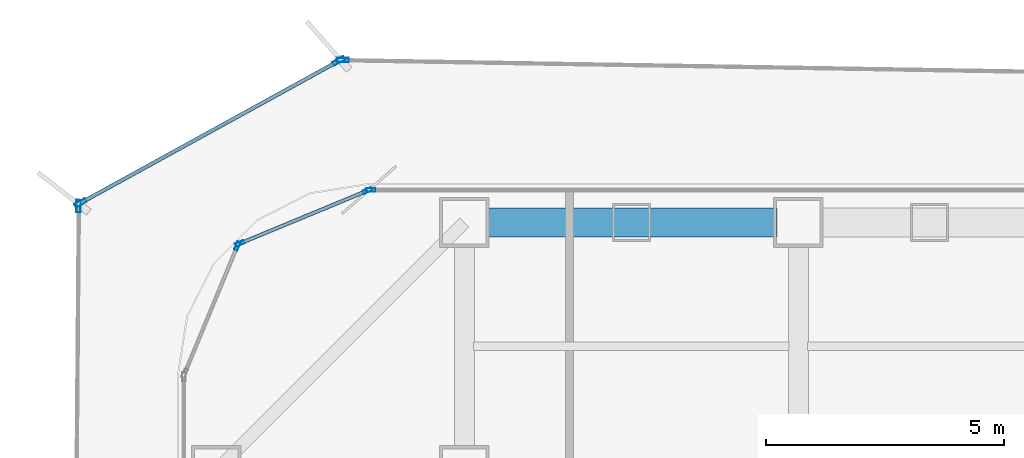
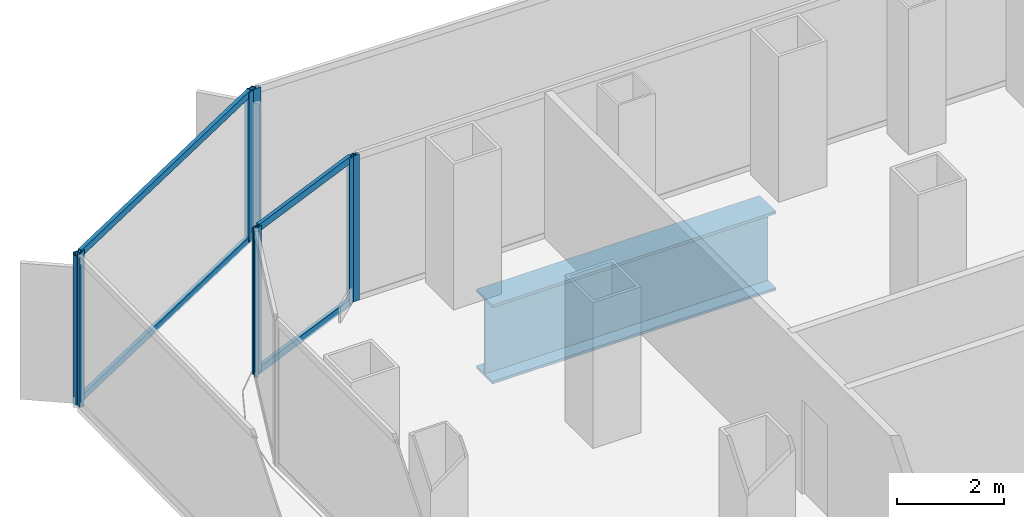
# One storey, part 14 of 27: 12 members, 1 beam, 6 elements without a shape of their own.
"""IFC4 building model written with IfcOpenShell, lengths in metres."""

import ifcopenshell
import ifcopenshell.guid

model = None  # the IFC model being written
_history = None  # IfcOwnerHistory: only IFC2X3 demands one
_inside = {}  # id of a spatial element -> (the spatial element, [elements in it])
_under = {}  # id of a project, library or spatial element -> (it, [spatial elements below it])
_declared = {}  # id of a project -> (the project, [libraries it declares])
_typed = {}  # id of a type object -> (the type object, [elements of that type])
_made_of = {}  # id of a material, layer set ... -> (it, [elements and type objects made of it])


def new_model(schema):
    """Start an empty IFC model of exactly this schema.

    Asked for "IFC4X3", IfcOpenShell would pick the latest addendum, in which some entities
    have other attributes; the version numbers below select the first issue.
    IFC2X3 requires an IfcOwnerHistory on every rooted entity: one is made here for all.
    """
    global model, _history
    if schema == "IFC4X3":
        model = ifcopenshell.file(schema_version=(4, 3, 0, 0))
    else:
        model = ifcopenshell.file(schema=schema)
    _inside.clear()
    _under.clear()
    _declared.clear()
    _typed.clear()
    _made_of.clear()
    _history = None
    if model.schema == "IFC2X3":
        org = make("IfcOrganization", Name="unknown")
        user = make(
            "IfcPersonAndOrganization",
            ThePerson=make("IfcPerson", FamilyName="unknown"),
            TheOrganization=org,
        )
        app = make(
            "IfcApplication",
            ApplicationDeveloper=org,
            Version="unknown",
            ApplicationFullName="unknown",
            ApplicationIdentifier="unknown",
        )
        _history = make(
            "IfcOwnerHistory",
            OwningUser=user,
            OwningApplication=app,
            ChangeAction="ADDED",
            CreationDate=0,
        )
    return model


def make(cls, **values):
    """One entity of the class cls with the attributes given. An attribute that is None is left unset."""
    return model.create_entity(
        cls, **{name: value for name, value in values.items() if value is not None}
    )


def rooted(cls, **values):
    """An entity with a GlobalId (a new one), such as an element, a storey or a relation."""
    return make(cls, GlobalId=ifcopenshell.guid.new(), OwnerHistory=_history, **values)


def si_unit(unit_type, name, prefix=None):
    """IfcSIUnit, for example si_unit("LENGTHUNIT", "METRE", prefix="MILLI")."""
    return make("IfcSIUnit", UnitType=unit_type, Prefix=prefix, Name=name)


def assignment(units):
    """IfcUnitAssignment: the units of a project."""
    return None if units is None else make("IfcUnitAssignment", Units=units)


def point(xyz):
    """IfcCartesianPoint."""
    return None if xyz is None else make("IfcCartesianPoint", Coordinates=xyz)


def direction(xyz):
    """IfcDirection."""
    return None if xyz is None else make("IfcDirection", DirectionRatios=xyz)


def frame(location, z_axis=None, x_axis=None):
    """IfcAxis2Placement3D, a coordinate frame: its origin and axes. An axis left out is left unset."""
    return make(
        "IfcAxis2Placement3D",
        Location=point(location),
        Axis=direction(z_axis),
        RefDirection=direction(x_axis),
    )


def frame_2d(location, x_axis=None):
    """IfcAxis2Placement2D, a coordinate frame in the plane: its origin and x axis."""
    return make(
        "IfcAxis2Placement2D", Location=point(location), RefDirection=direction(x_axis)
    )


def origin():
    """The frame at (0, 0, 0) with its axes left unset."""
    return frame((0.0, 0.0, 0.0))


def origin_2d():
    """The frame at (0, 0) in the plane with its x axis left unset."""
    return frame_2d((0.0, 0.0))


def place(relative_to, where):
    """IfcLocalPlacement: puts the frame where relative to a parent placement (None: the world)."""
    return make(
        "IfcLocalPlacement", PlacementRelTo=relative_to, RelativePlacement=where
    )


def context(
    kind, dimensions, precision=None, world=None, true_north=None, identifier=None
):
    """IfcGeometricRepresentationContext, for example the 3D "Model" context."""
    return make(
        "IfcGeometricRepresentationContext",
        ContextIdentifier=identifier,
        ContextType=kind,
        CoordinateSpaceDimension=dimensions,
        Precision=precision,
        WorldCoordinateSystem=world,
        TrueNorth=true_north,
    )


def subcontext(parent, identifier, kind, view, scale=None):
    """IfcGeometricRepresentationSubContext, for example "Body" below "Model"."""
    return make(
        "IfcGeometricRepresentationSubContext",
        ContextIdentifier=identifier,
        ContextType=kind,
        ParentContext=parent,
        TargetScale=scale,
        TargetView=view,
    )


def project(units=None, contexts=None):
    """IfcProject with its units and contexts."""
    return rooted(
        "IfcProject",
        Name="project",
        RepresentationContexts=contexts,
        UnitsInContext=assignment(units),
    )


def spatial(cls, under=None, at=None, **own):
    """A site, building, storey or space (cls), placed at a placement, below another one or the project."""
    s = rooted(cls, ObjectPlacement=at, **own)
    if under is not None:
        _under.setdefault(under.id(), (under, []))[1].append(s)
    return s


def profile(cls, at=None, kind="AREA", **sizes):
    """A parametric profile (cls). Its sizes go by their IFC names, for example OverallWidth=200.0."""
    return make(cls, ProfileType=kind, Position=at, **sizes)


def hollow_rectangle(**sizes):
    """IfcRectangleHollowProfileDef."""
    return profile("IfcRectangleHollowProfileDef", **sizes)


def i_section(**sizes):
    """IfcIShapeProfileDef."""
    return profile("IfcIShapeProfileDef", **sizes)


def extrude(swept, where, along, depth):
    """IfcExtrudedAreaSolid: the profile swept, set in the frame where, extruded along a direction by depth."""
    return make(
        "IfcExtrudedAreaSolid",
        SweptArea=swept,
        Position=where,
        ExtrudedDirection=direction(along),
        Depth=depth,
    )


def shape(context_of_items, identifier, shape_type, items):
    """IfcShapeRepresentation: the items that make up one representation, for example the "Body"."""
    return make(
        "IfcShapeRepresentation",
        ContextOfItems=context_of_items,
        RepresentationIdentifier=identifier,
        RepresentationType=shape_type,
        Items=items,
    )


def source(mapping_origin, context_of_items, identifier, shape_type, items):
    """IfcRepresentationMap: a shape defined once, which mapped items show again and again."""
    return make(
        "IfcRepresentationMap",
        MappingOrigin=mapping_origin,
        MappedRepresentation=shape(context_of_items, identifier, shape_type, items),
    )


def transform(
    local_origin,
    x_axis=None,
    y_axis=None,
    z_axis=None,
    scale=None,
    scale2=None,
    scale3=None,
    uniform=True,
):
    """IfcCartesianTransformationOperator3D, or its non-uniform kind. x_axis, y_axis, z_axis: its Axis1, 2, 3."""
    if uniform:
        return make(
            "IfcCartesianTransformationOperator3D",
            Axis1=direction(x_axis),
            Axis2=direction(y_axis),
            LocalOrigin=point(local_origin),
            Scale=scale,
            Axis3=direction(z_axis),
        )
    return make(
        "IfcCartesianTransformationOperator3DnonUniform",
        Axis1=direction(x_axis),
        Axis2=direction(y_axis),
        LocalOrigin=point(local_origin),
        Scale=scale,
        Axis3=direction(z_axis),
        Scale2=scale2,
        Scale3=scale3,
    )


def mapped(mapping_source, mapping_target):
    """IfcMappedItem: shows the shape of a source again, moved by a transform."""
    return make(
        "IfcMappedItem", MappingSource=mapping_source, MappingTarget=mapping_target
    )


def material(Name=None, Category=None):
    """IfcMaterial."""
    return make("IfcMaterial", Name=Name, Category=Category)


def layer(
    of_material, thickness, ventilated=None, Name=None, Category=None, Priority=None
):
    """IfcMaterialLayer: one layer of a wall or slab, of a material (None: an air gap)."""
    return make(
        "IfcMaterialLayer",
        Material=of_material,
        LayerThickness=thickness,
        IsVentilated=ventilated,
        Name=Name,
        Category=Category,
        Priority=Priority,
    )


def layer_set(layers, Name=None):
    """IfcMaterialLayerSet."""
    return make("IfcMaterialLayerSet", MaterialLayers=layers, LayerSetName=Name)


def material_profile(
    of_material, cross_section, Name=None, Category=None, Priority=None
):
    """IfcMaterialProfile: a cross section and its material."""
    return make(
        "IfcMaterialProfile",
        Name=Name,
        Material=of_material,
        Profile=cross_section,
        Priority=Priority,
        Category=Category,
    )


def profile_set(profiles, Name=None, composite=None):
    """IfcMaterialProfileSet."""
    return make(
        "IfcMaterialProfileSet",
        Name=Name,
        MaterialProfiles=profiles,
        CompositeProfile=composite,
    )


def made_of(thing, what):
    """Note that an element or type object is made of a material, layer set ...; save() writes the relation."""
    if what is not None:
        _made_of.setdefault(what.id(), (what, []))[1].append(thing)
    return thing


def type_object(cls, material=None, **own):
    """A type object (cls), such as IfcWallType, which elements share."""
    return made_of(rooted(cls, **own), material)


def element(
    cls,
    number,
    at=None,
    inside=None,
    cuts=None,
    type_object=None,
    material=None,
    context=None,
    identifier="Body",
    shape_type=None,
    held_by="IfcProductDefinitionShape",
    body=None,
    shapes=None,
    **own,
):
    """One element of the class cls, such as IfcWall. Its Tag is "e" and its number.

    at: its placement. inside: the storey or other place that contains it. cuts: it is an
    opening in that element (IfcRelVoidsElement). A single representation is given by context,
    identifier, shape_type and body (its items); several are given by shapes. held_by: the class
    of the entity that holds the representations. save() writes the other relations.
    """
    e = rooted(cls, Tag="e%d" % number, ObjectPlacement=at, **own)
    if body is not None:
        shapes = [shape(context, identifier, shape_type, body)]
    if shapes is not None:
        e.Representation = make(held_by, Representations=shapes)
    if inside is not None:
        _inside.setdefault(inside.id(), (inside, []))[1].append(e)
    if cuts is not None:
        rooted(
            "IfcRelVoidsElement", RelatingBuildingElement=cuts, RelatedOpeningElement=e
        )
    if type_object is not None:
        _typed.setdefault(type_object.id(), (type_object, []))[1].append(e)
    return made_of(e, material)


def aggregate(whole, parts):
    """IfcRelAggregates: a whole, such as a stair, and the parts it consists of."""
    return rooted("IfcRelAggregates", RelatingObject=whole, RelatedObjects=parts)


def save(model, path):
    """Write the relations noted so far, then the file.

    IfcRelAggregates (storeys below a building ...), IfcRelContainedInSpatialStructure (elements
    in a storey), IfcRelDefinesByType, IfcRelAssociatesMaterial and IfcRelDeclares: one each for
    every whole, place, type object, material and project.
    """
    for whole, parts in _under.values():
        aggregate(whole, parts)
    for where, things in _inside.values():
        rooted(
            "IfcRelContainedInSpatialStructure",
            RelatedElements=things,
            RelatingStructure=where,
        )
    for kind, things in _typed.values():
        rooted("IfcRelDefinesByType", RelatedObjects=things, RelatingType=kind)
    for what, things in _made_of.values():
        rooted("IfcRelAssociatesMaterial", RelatedObjects=things, RelatingMaterial=what)
    for by, libraries in _declared.values():
        rooted("IfcRelDeclares", RelatingContext=by, RelatedDefinitions=libraries)
    model.write(path)


model = new_model("IFC4")

# Units and contexts
model_context = context("Model", 3, precision=1e-05, world=origin(), true_north=direction((0.0, 1.0)))
body_context = subcontext(model_context, "Body", "Model", "MODEL_VIEW")
ifc_project = project(units=[si_unit("LENGTHUNIT", "METRE"), si_unit("AREAUNIT", "SQUARE_METRE"), si_unit("VOLUMEUNIT", "CUBIC_METRE"), si_unit("PLANEANGLEUNIT", "RADIAN"), si_unit("MASSUNIT", "GRAM", prefix="KILO")], contexts=[model_context])

# Site, building, storey
site_placement = place(None, origin())
site = spatial("IfcSite", under=ifc_project, at=site_placement, CompositionType="ELEMENT")
building_placement = place(site_placement, origin())
building = spatial("IfcBuilding", under=site, at=building_placement, Name="Kolveth Station Tower", CompositionType="ELEMENT")
storey_placement = place(building_placement, frame((0.0, 0.0, 22.5)))
storey = spatial("IfcBuildingStorey", under=building, at=storey_placement, Name="L05", CompositionType="ELEMENT", Elevation=22.5)

# Beam
ifc_material_1 = material(Name="Steel S460", Category="steel")
ifc_material_profile_1 = material_profile(ifc_material_1, i_section(OverallWidth=0.60009765625, OverallDepth=1.800048828125, WebThickness=0.031982421875, FlangeThickness=0.06005859375, at=origin_2d()), Name="PG1800x600x60")
ifc_profile_set_1 = profile_set([ifc_material_profile_1], Name="Steel S460")
beam_type = type_object("IfcBeamType", Name="Beam_TG2", PredefinedType="BEAM", material=ifc_profile_set_1)
shared_shape_1 = source(origin(), body_context, "Body", "SweptSolid", [
    extrude(i_section(OverallWidth=0.60009765625, OverallDepth=1.800048828125, WebThickness=0.031982421875, FlangeThickness=0.06005859375, at=origin_2d()), origin(), (0.0, 0.0, 1.0), 6.10009765625),
])
beam_placement = place(storey_placement, frame((6.449951171875, 39.699951171875, -1.260009765625), z_axis=(1.0, 0.0, 0.0), x_axis=(0.0, 1.0, 0.0)))
element("IfcBeam", 1, at=beam_placement, inside=storey, type_object=beam_type, Name="L05 Transfer Girder BM-L05-PN-1", PredefinedType="BEAM", context=body_context, shape_type="MappedRepresentation", body=[
    mapped(shared_shape_1, transform((0.0, 0.0, 0.0), x_axis=(1.0, 0.0, 0.0), y_axis=(0.0, 1.0, 0.0), z_axis=(0.0, 0.0, 1.0), scale=1.0)),
])

# Curtain wall, member
ifc_material_2 = material(Name="Aluminium 6063-T6 and low-E dark glass", Category="aluminium")
ifc_layer_1 = layer(ifc_material_2, 0.179931640625)
ifc_layer_set_1 = layer_set([ifc_layer_1], Name="Aluminium 6063-T6 and low-E dark glass")
curtain_wall_type_1 = type_object("IfcCurtainWallType", Name="CurtainWall_CW-Z1", PredefinedType="NOTDEFINED", material=ifc_layer_set_1)
curtain_wall_1_placement = place(storey_placement, origin())
curtain_wall_1 = element("IfcCurtainWall", 2, at=curtain_wall_1_placement, inside=storey, type_object=curtain_wall_type_1, Name="L05 Inner Thermal Curtain Wall 6", PredefinedType="NOTDEFINED")
ifc_material_3 = material(Name="Black anodized aluminium 6063-T6", Category="aluminium")
ifc_material_profile_2 = material_profile(ifc_material_3, hollow_rectangle(XDim=0.074951171875, YDim=0.18994140625, WallThickness=0.0048828125, at=origin_2d()), Name="ALU-75x190x5")
ifc_profile_set_2 = profile_set([ifc_material_profile_2], Name="Black anodized aluminium 6063-T6")
member_type_1 = type_object("IfcMemberType", Name="Mullion_ML1", PredefinedType="MULLION", material=ifc_profile_set_2)
shared_shape_2 = source(origin(), body_context, "Body", "SweptSolid", [
    extrude(hollow_rectangle(XDim=0.074951171875, YDim=0.18994140625, WallThickness=0.0048828125, at=origin_2d()), origin(), (0.0, 0.0, 1.0), 3.320068359375),
])
member_1_placement = place(storey_placement, frame((4.03759765625, 40.3798828125, 0.0), z_axis=(0.0, 0.0, 1.0), x_axis=(0.0, -1.0, 0.0)))
member_1 = element("IfcMember", 3, at=member_1_placement, type_object=member_type_1, Name="CW-Z1 mullion 3", PredefinedType="MULLION", context=body_context, shape_type="MappedRepresentation", body=[
    mapped(shared_shape_2, transform((0.0, 0.0, 0.0), x_axis=(1.0, 0.0, 0.0), y_axis=(0.0, 1.0, 0.0), z_axis=(0.0, 0.0, 1.0), scale=1.0)),
])
aggregate(curtain_wall_1, [member_1])

# Curtain wall, members
curtain_wall_2_placement = place(storey_placement, origin())
curtain_wall_2 = element("IfcCurtainWall", 4, at=curtain_wall_2_placement, inside=storey, type_object=curtain_wall_type_1, Name="L05 Inner Thermal Curtain Wall 7", PredefinedType="NOTDEFINED")
member_2_placement = place(storey_placement, frame((3.96533203125, 40.36572265625, 0.0), z_axis=(0.0, 0.0, 1.0), x_axis=(0.382672990201, -0.923883857728, 0.0)))
member_2 = element("IfcMember", 5, at=member_2_placement, type_object=member_type_1, Name="CW-Z1 mullion 1", PredefinedType="MULLION", context=body_context, shape_type="MappedRepresentation", body=[
    mapped(shared_shape_2, transform((0.0, 0.0, 0.0), x_axis=(1.0, 0.0, 0.0), y_axis=(0.0, 1.0, 0.0), z_axis=(0.0, 0.0, 1.0), scale=1.0)),
])
member_3_placement = place(storey_placement, frame((1.291015625, 39.258056640625, 0.0), z_axis=(0.0, 0.0, 1.0), x_axis=(0.382672990201, -0.923883857728, 0.0)))
member_3 = element("IfcMember", 6, at=member_3_placement, type_object=member_type_1, Name="CW-Z1 mullion 2", PredefinedType="MULLION", context=body_context, shape_type="MappedRepresentation", body=[
    mapped(shared_shape_2, transform((0.0, 0.0, 0.0), x_axis=(1.0, 0.0, 0.0), y_axis=(0.0, 1.0, 0.0), z_axis=(0.0, 0.0, 1.0), scale=1.0)),
])

# Curtain wall, member
curtain_wall_3_placement = place(storey_placement, origin())
curtain_wall_3 = element("IfcCurtainWall", 7, at=curtain_wall_3_placement, inside=storey, type_object=curtain_wall_type_1, Name="L05 Inner Thermal Curtain Wall 8", PredefinedType="NOTDEFINED")
member_4_placement = place(storey_placement, frame((1.241943359375, 39.208984375, 0.0), z_axis=(0.0, 0.0, 1.0), x_axis=(0.923883857728, -0.382672990201, 0.0)))
member_4 = element("IfcMember", 8, at=member_4_placement, type_object=member_type_1, Name="CW-Z1 mullion 1", PredefinedType="MULLION", context=body_context, shape_type="MappedRepresentation", body=[
    mapped(shared_shape_2, transform((0.0, 0.0, 0.0), x_axis=(1.0, 0.0, 0.0), y_axis=(0.0, 1.0, 0.0), z_axis=(0.0, 0.0, 1.0), scale=1.0)),
])
aggregate(curtain_wall_3, [member_4])

# Member
ifc_material_profile_3 = material_profile(ifc_material_3, hollow_rectangle(XDim=0.074951171875, YDim=0.159912109375, WallThickness=0.0048828125, at=origin_2d()), Name="ALU-75x160x5")
ifc_profile_set_3 = profile_set([ifc_material_profile_3], Name="Black anodized aluminium 6063-T6")
member_type_2 = type_object("IfcMemberType", Name="Transom_TR1", PredefinedType="USERDEFINED", material=ifc_profile_set_3)
shared_shape_3 = source(origin(), body_context, "Body", "SweptSolid", [
    extrude(hollow_rectangle(XDim=0.074951171875, YDim=0.159912109375, WallThickness=0.0048828125, at=origin_2d()), origin(), (0.0, 0.0, 1.0), 2.819580078125),
])
member_5_placement = place(storey_placement, frame((3.9306640625, 40.351318359375, 0.03759765625), z_axis=(-0.923869084389, -0.382708655389, 0.0), x_axis=(0.382708655389, -0.923869084389, 0.0)))
member_5 = element("IfcMember", 9, at=member_5_placement, type_object=member_type_2, Name="CW-Z1 transom 1.1", ObjectType="TRANSOM", PredefinedType="USERDEFINED", context=body_context, shape_type="MappedRepresentation", body=[
    mapped(shared_shape_3, transform((0.0, 0.0, 0.0), x_axis=(1.0, 0.0, 0.0), y_axis=(0.0, 1.0, 0.0), z_axis=(0.0, 0.0, 1.0), scale=1.0)),
])

member_6_placement = place(storey_placement, frame((3.9306640625, 40.351318359375, 3.282470703125), z_axis=(-0.923869084389, -0.382708655389, 0.0), x_axis=(0.382708655389, -0.923869084389, 0.0)))
member_6 = element("IfcMember", 10, at=member_6_placement, type_object=member_type_2, Name="CW-Z1 transom 1.2", ObjectType="TRANSOM", PredefinedType="USERDEFINED", context=body_context, shape_type="MappedRepresentation", body=[
    mapped(shared_shape_3, transform((0.0, 0.0, 0.0), x_axis=(1.0, 0.0, 0.0), y_axis=(0.0, 1.0, 0.0), z_axis=(0.0, 0.0, 1.0), scale=1.0)),
])

aggregate(curtain_wall_2, [member_2, member_3, member_5, member_6])

# Curtain wall, member
ifc_material_4 = material(Name="Black anodized aluminium 6063-T6 and dark solar glass", Category="aluminium")
ifc_layer_2 = layer(ifc_material_4, 0.159912109375)
ifc_layer_set_2 = layer_set([ifc_layer_2], Name="Black anodized aluminium 6063-T6 and dark solar glass")
curtain_wall_type_2 = type_object("IfcCurtainWallType", Name="OUTER SKIN CW-OS", PredefinedType="NOTDEFINED", material=ifc_layer_set_2)
curtain_wall_4_placement = place(storey_placement, origin())
curtain_wall_4 = element("IfcCurtainWall", 11, at=curtain_wall_4_placement, inside=storey, type_object=curtain_wall_type_2, Name="L05 Outer Ventilated Skin Curtain Wall 4", PredefinedType="NOTDEFINED")
ifc_material_profile_4 = material_profile(ifc_material_3, hollow_rectangle(XDim=0.090087890625, YDim=0.260009765625, WallThickness=0.0048828125, at=origin_2d()), Name="ALU-90x260x5")
ifc_profile_set_4 = profile_set([ifc_material_profile_4], Name="Black anodized aluminium 6063-T6")
member_type_3 = type_object("IfcMemberType", Name="FIN MULLION ML-OS", PredefinedType="MULLION", material=ifc_profile_set_4)
shared_shape_4 = source(origin(), body_context, "Body", "SweptSolid", [
    extrude(hollow_rectangle(XDim=0.090087890625, YDim=0.260009765625, WallThickness=0.0048828125, at=origin_2d()), origin(), (0.0, 0.0, 1.0), 3.389892578125),
])
member_7_placement = place(storey_placement, frame((3.44921875, 43.10595703125, 0.0), z_axis=(0.0, 0.0, 1.0), x_axis=(-0.016680881064, -0.999860864424, 0.0)))
member_7 = element("IfcMember", 12, at=member_7_placement, type_object=member_type_3, Name="CW-OS mullion 2", PredefinedType="MULLION", context=body_context, shape_type="MappedRepresentation", body=[
    mapped(shared_shape_4, transform((0.0, 0.0, 0.0), x_axis=(1.0, 0.0, 0.0), y_axis=(0.0, 1.0, 0.0), z_axis=(0.0, 0.0, 1.0), scale=1.0)),
])
aggregate(curtain_wall_4, [member_7])

# Curtain wall, members
curtain_wall_5_placement = place(storey_placement, origin())
curtain_wall_5 = element("IfcCurtainWall", 13, at=curtain_wall_5_placement, inside=storey, type_object=curtain_wall_type_2, Name="L05 Outer Ventilated Skin Curtain Wall 5", PredefinedType="NOTDEFINED")
member_8_placement = place(storey_placement, frame((3.36474609375, 43.085205078125, 0.0), z_axis=(0.0, 0.0, 1.0), x_axis=(0.481912626319, -0.876219276548, 0.0)))
member_8 = element("IfcMember", 14, at=member_8_placement, type_object=member_type_3, Name="CW-OS mullion 1", PredefinedType="MULLION", context=body_context, shape_type="MappedRepresentation", body=[
    mapped(shared_shape_4, transform((0.0, 0.0, 0.0), x_axis=(1.0, 0.0, 0.0), y_axis=(0.0, 1.0, 0.0), z_axis=(0.0, 0.0, 1.0), scale=1.0)),
])
member_9_placement = place(storey_placement, frame((-2.04931640625, 40.107421875, 0.0), z_axis=(0.0, 0.0, 1.0), x_axis=(0.481912626319, -0.876219276548, 0.0)))
member_9 = element("IfcMember", 15, at=member_9_placement, type_object=member_type_3, Name="CW-OS mullion 2", PredefinedType="MULLION", context=body_context, shape_type="MappedRepresentation", body=[
    mapped(shared_shape_4, transform((0.0, 0.0, 0.0), x_axis=(1.0, 0.0, 0.0), y_axis=(0.0, 1.0, 0.0), z_axis=(0.0, 0.0, 1.0), scale=1.0)),
])

# Curtain wall, member
curtain_wall_6_placement = place(storey_placement, origin())
curtain_wall_6 = element("IfcCurtainWall", 16, at=curtain_wall_6_placement, inside=storey, type_object=curtain_wall_type_2, Name="L05 Outer Ventilated Skin Curtain Wall 6", PredefinedType="NOTDEFINED")
member_10_placement = place(storey_placement, frame((-2.089111328125, 40.040771484375, 0.0), z_axis=(0.0, 0.0, 1.0), x_axis=(0.999966107757, -0.008233063669, 0.0)))
member_10 = element("IfcMember", 17, at=member_10_placement, type_object=member_type_3, Name="CW-OS mullion 1", PredefinedType="MULLION", context=body_context, shape_type="MappedRepresentation", body=[
    mapped(shared_shape_4, transform((0.0, 0.0, 0.0), x_axis=(1.0, 0.0, 0.0), y_axis=(0.0, 1.0, 0.0), z_axis=(0.0, 0.0, 1.0), scale=1.0)),
])
aggregate(curtain_wall_6, [member_10])

# Member
ifc_material_profile_5 = material_profile(ifc_material_3, hollow_rectangle(XDim=0.080078125, YDim=0.14990234375, WallThickness=0.0048828125, at=origin_2d()), Name="ALU-80x150x5")
ifc_profile_set_5 = profile_set([ifc_material_profile_5], Name="Black anodized aluminium 6063-T6")
member_type_4 = type_object("IfcMemberType", Name="Transom_TR-OS", PredefinedType="USERDEFINED", material=ifc_profile_set_5)
shared_shape_5 = source(origin(), body_context, "Body", "SweptSolid", [
    extrude(hollow_rectangle(XDim=0.080078125, YDim=0.14990234375, WallThickness=0.0048828125, at=origin_2d()), origin(), (0.0, 0.0, 1.0), 6.089111328125),
])
member_11_placement = place(storey_placement, frame((3.325439453125, 43.0634765625, 0.0400390625), z_axis=(-0.876227759796, -0.481897201656, 0.0), x_axis=(0.481897201656, -0.876227759796, 0.0)))
member_11 = element("IfcMember", 18, at=member_11_placement, type_object=member_type_4, Name="CW-OS transom 1.1", ObjectType="TRANSOM", PredefinedType="USERDEFINED", context=body_context, shape_type="MappedRepresentation", body=[
    mapped(shared_shape_5, transform((0.0, 0.0, 0.0), x_axis=(1.0, 0.0, 0.0), y_axis=(0.0, 1.0, 0.0), z_axis=(0.0, 0.0, 1.0), scale=1.0)),
])

member_12_placement = place(storey_placement, frame((3.325439453125, 43.0634765625, 3.35009765625), z_axis=(-0.876227759796, -0.481897201656, 0.0), x_axis=(0.481897201656, -0.876227759796, 0.0)))
member_12 = element("IfcMember", 19, at=member_12_placement, type_object=member_type_4, Name="CW-OS transom 1.2", ObjectType="TRANSOM", PredefinedType="USERDEFINED", context=body_context, shape_type="MappedRepresentation", body=[
    mapped(shared_shape_5, transform((0.0, 0.0, 0.0), x_axis=(1.0, 0.0, 0.0), y_axis=(0.0, 1.0, 0.0), z_axis=(0.0, 0.0, 1.0), scale=1.0)),
])

aggregate(curtain_wall_5, [member_8, member_9, member_11, member_12])

save(model, "model.ifc")
